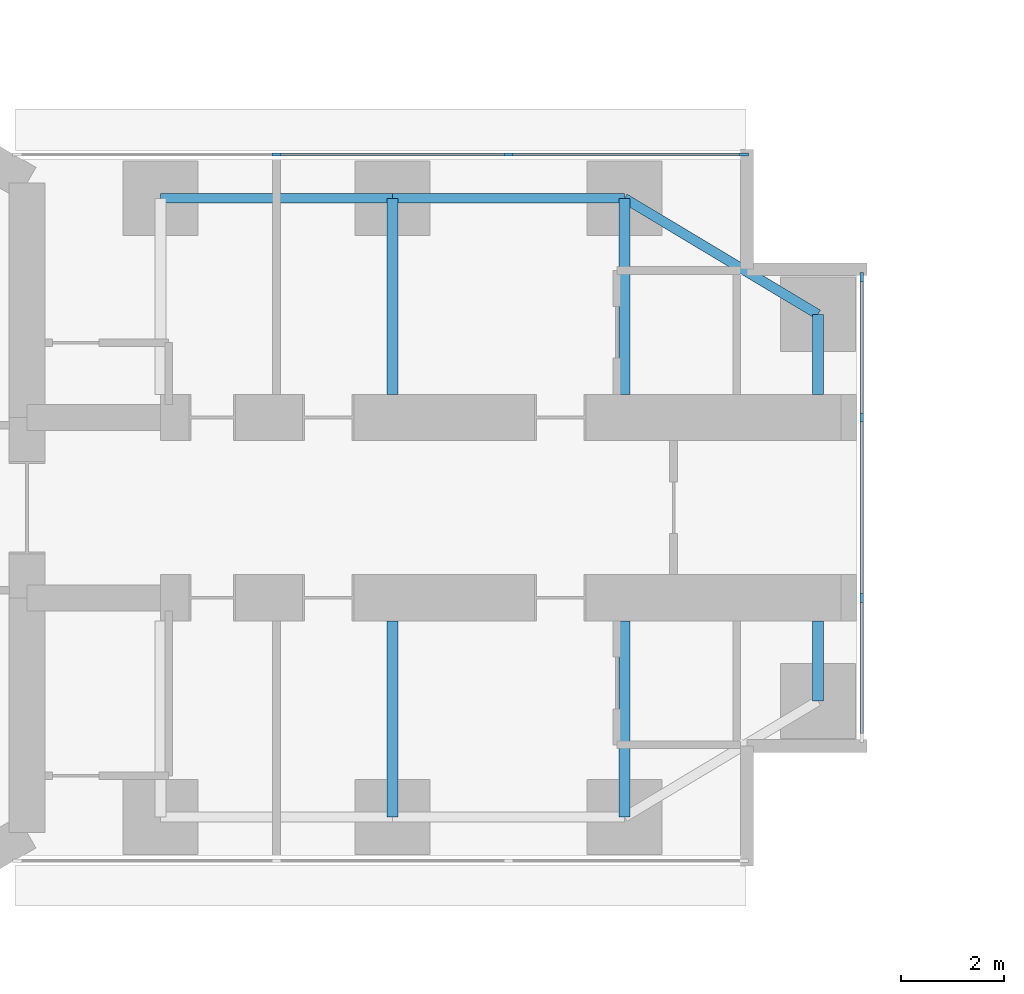
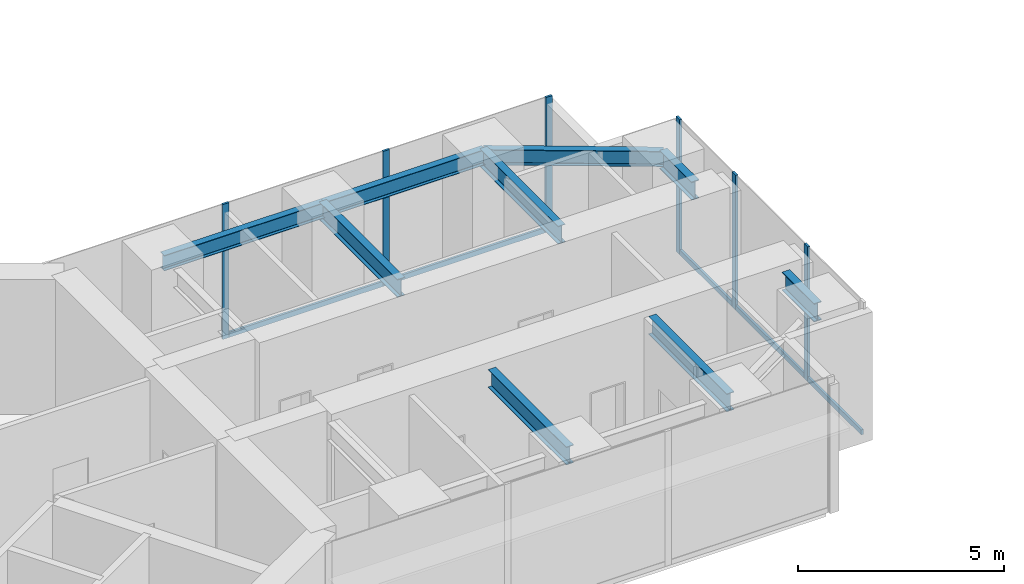
# One storey, part 8 of 24: 11 members, 9 beams, 2 elements without a shape of their own.
"""IFC4 building model written with IfcOpenShell, lengths in metres."""

from ifc_helpers import new_model, si_unit, direction, frame, origin, origin_2d, place, context, subcontext, project, spatial, rectangle, i_section, extrude, material, material_profile, profile_set, type_object, element, aggregate, save


model = new_model("IFC4")

# Units and contexts
model_context = context("Model", 3, precision=1e-05, world=origin(), true_north=direction((0.0, 1.0)))
body_context = subcontext(model_context, "Body", "Model", "MODEL_VIEW")
ifc_project = project(units=[si_unit("LENGTHUNIT", "METRE"), si_unit("AREAUNIT", "SQUARE_METRE"), si_unit("VOLUMEUNIT", "CUBIC_METRE"), si_unit("PLANEANGLEUNIT", "RADIAN"), si_unit("MASSUNIT", "GRAM", prefix="KILO")], contexts=[model_context])

# Site, building, storey
site_placement = place(None, origin())
site = spatial("IfcSite", under=ifc_project, at=site_placement, CompositionType="ELEMENT")
building_placement = place(site_placement, origin())
building = spatial("IfcBuilding", under=site, at=building_placement, Name="Upepo Twin Towers", CompositionType="ELEMENT")
storey_placement = place(building_placement, frame((0.0, 0.0, 56.5)))
storey = spatial("IfcBuildingStorey", under=building, at=storey_placement, Name="L13", CompositionType="ELEMENT", Elevation=56.5)

# Beams
ifc_material_1 = material(Name="Steel S355", Category="steel")
ifc_material_profile_1 = material_profile(ifc_material_1, i_section(OverallWidth=0.1904296875, OverallDepth=0.45703125, WebThickness=0.009033203125, FlangeThickness=0.014404296875, FilletRadius=0.01025390625, at=origin_2d()), Name="UB 457x191x74")
ifc_profile_set_1 = profile_set([ifc_material_profile_1], Name="Steel S355")
beam_type_1 = type_object("IfcBeamType", Name="Beam UB 457x191x74", PredefinedType="BEAM", material=ifc_profile_set_1)
for number, where, z_axis, x_axis, name in (
    (1, (13.5, 6.0, 3.571533203125), (1.0, 0.0, 0.0), (0.0, 1.0, 0.0), "T1 edge beam AL 13.5-18.0"),
    (2, (18.0, 6.0, 3.571533203125), (1.0, 0.0, 0.0), (0.0, 1.0, 0.0), "T1 edge beam AL 18.0-22.5"),
):
    element("IfcBeam", number, at=place(storey_placement, frame(where, z_axis=z_axis, x_axis=x_axis)), inside=storey, type_object=beam_type_1, Name=name, PredefinedType="BEAM", context=body_context, shape_type="SweptSolid", body=[
        extrude(i_section(OverallWidth=0.1904296875, OverallDepth=0.45703125, WebThickness=0.009033203125, FlangeThickness=0.014404296875, FilletRadius=0.01025390625, at=origin_2d()), origin(), (0.0, 0.0, 1.0), 4.5),
    ])
beam_placement = place(storey_placement, frame((22.5, 6.0, 3.571533203125), z_axis=(0.857492925713, -0.514495755428, 0.0), x_axis=(0.514495755428, 0.857492925713, 0.0)))
element("IfcBeam", 3, at=beam_placement, inside=storey, type_object=beam_type_1, Name="T1 nose edge beam AL", PredefinedType="BEAM", context=body_context, shape_type="SweptSolid", body=[
    extrude(i_section(OverallWidth=0.1904296875, OverallDepth=0.45703125, WebThickness=0.009033203125, FlangeThickness=0.014404296875, FilletRadius=0.01025390625, at=origin_2d()), origin(), (0.0, 0.0, 1.0), 4.373291015625),
])
ifc_material_2 = material(Name="Steel S355", Category="steel")
ifc_material_profile_2 = material_profile(ifc_material_2, i_section(OverallWidth=0.2119140625, OverallDepth=0.54443359375, WebThickness=0.0126953125, FlangeThickness=0.021240234375, FilletRadius=0.0126953125, at=origin_2d()), Name="UB 533x210x122")
ifc_profile_set_2 = profile_set([ifc_material_profile_2], Name="Steel S355")
beam_type_2 = type_object("IfcBeamType", Name="Beam UB 533x210x122", PredefinedType="BEAM", material=ifc_profile_set_2)
for number, where, z_axis, x_axis, name in (
    (4, (26.25, 3.75, 3.52783203125), (0.0, -1.0, 0.0), (1.0, 0.0, 0.0), "T1 nose beam AL"),
    (5, (26.25, -3.75, 3.52783203125), (0.0, 1.0, 0.0), (-1.0, 0.0, 0.0), "T1 nose beam AR"),
):
    element("IfcBeam", number, at=place(storey_placement, frame(where, z_axis=z_axis, x_axis=x_axis)), inside=storey, type_object=beam_type_2, Name=name, PredefinedType="BEAM", context=body_context, shape_type="SweptSolid", body=[
        extrude(i_section(OverallWidth=0.2119140625, OverallDepth=0.54443359375, WebThickness=0.0126953125, FlangeThickness=0.021240234375, FilletRadius=0.0126953125, at=origin_2d()), origin(), (0.0, 0.0, 1.0), 1.550048828125),
    ])
ifc_material_3 = material(Name="Steel S355", Category="steel")
ifc_material_profile_3 = material_profile(ifc_material_3, i_section(OverallWidth=0.209228515625, OverallDepth=0.533203125, WebThickness=0.010009765625, FlangeThickness=0.015625, FilletRadius=0.0126953125, at=origin_2d()), Name="UB 533x210x92")
ifc_profile_set_3 = profile_set([ifc_material_profile_3], Name="Steel S355")
beam_type_3 = type_object("IfcBeamType", Name="Beam UB 533x210x92", PredefinedType="BEAM", material=ifc_profile_set_3)
for number, where, z_axis, x_axis, name in (
    (6, (18.0, 6.0, 3.533447265625), (0.0, -1.0, 0.0), (1.0, 0.0, 0.0), "T1 girder AL at 18.0"),
    (7, (22.5, 6.0, 3.533447265625), (0.0, -1.0, 0.0), (1.0, 0.0, 0.0), "T1 girder AL at 22.5"),
    (8, (18.0, -6.0, 3.533447265625), (0.0, 1.0, 0.0), (-1.0, 0.0, 0.0), "T1 girder AR at 18.0"),
    (9, (22.5, -6.0, 3.533447265625), (0.0, 1.0, 0.0), (-1.0, 0.0, 0.0), "T1 girder AR at 22.5"),
):
    element("IfcBeam", number, at=place(storey_placement, frame(where, z_axis=z_axis, x_axis=x_axis)), inside=storey, type_object=beam_type_3, Name=name, PredefinedType="BEAM", context=body_context, shape_type="SweptSolid", body=[
        extrude(i_section(OverallWidth=0.209228515625, OverallDepth=0.533203125, WebThickness=0.010009765625, FlangeThickness=0.015625, FilletRadius=0.0126953125, at=origin_2d()), origin(), (0.0, 0.0, 1.0), 3.800048828125),
    ])

# Curtain wall, members
ifc_material_4 = material(Name="Aluminium and fritted glass", Category="aluminium")
curtain_wall_type = type_object("IfcCurtainWallType", Name="Tower curtain wall TW1, fritted glass", PredefinedType="NOTDEFINED", material=ifc_material_4)
curtain_wall_1_placement = place(storey_placement, origin())
curtain_wall_1 = element("IfcCurtainWall", 10, at=curtain_wall_1_placement, inside=storey, type_object=curtain_wall_type, Name="T1 L13 wing A flank L curtain wall", PredefinedType="NOTDEFINED")
ifc_material_5 = material(Name="Aluminium mullion", Category="aluminium")
ifc_material_profile_4 = material_profile(ifc_material_5, rectangle(XDim=0.06494140625, YDim=0.179931640625, at=origin_2d()), Name="MULLION 65x180")
ifc_profile_set_4 = profile_set([ifc_material_profile_4], Name="Aluminium mullion")
member_type_1 = type_object("IfcMemberType", Name="Mullion 65x180 TW1", PredefinedType="MULLION", material=ifc_profile_set_4)
member_1_placement = place(storey_placement, frame((15.75, 6.85009765625, 0.0), z_axis=(0.0, 0.0, 1.0), x_axis=(0.0, 1.0, 0.0)))
member_1 = element("IfcMember", 11, at=member_1_placement, type_object=member_type_1, Name="T1 L13 wing A flank L curtain wall mullion 2", PredefinedType="MULLION", context=body_context, shape_type="SweptSolid", body=[
    extrude(rectangle(XDim=0.06494140625, YDim=0.179931640625, at=origin_2d()), origin(), (0.0, 0.0, 1.0), 4.0),
])
member_2_placement = place(storey_placement, frame((20.25, 6.85009765625, 0.0), z_axis=(0.0, 0.0, 1.0), x_axis=(0.0, 1.0, 0.0)))
member_2 = element("IfcMember", 12, at=member_2_placement, type_object=member_type_1, Name="T1 L13 wing A flank L curtain wall mullion 3", PredefinedType="MULLION", context=body_context, shape_type="SweptSolid", body=[
    extrude(rectangle(XDim=0.06494140625, YDim=0.179931640625, at=origin_2d()), origin(), (0.0, 0.0, 1.0), 4.0),
])
member_3_placement = place(storey_placement, frame((24.8173828125, 6.85009765625, 0.0), z_axis=(0.0, 0.0, 1.0), x_axis=(0.0, 1.0, 0.0)))
member_3 = element("IfcMember", 13, at=member_3_placement, type_object=member_type_1, Name="T1 L13 wing A flank L curtain wall mullion 4", PredefinedType="MULLION", context=body_context, shape_type="SweptSolid", body=[
    extrude(rectangle(XDim=0.06494140625, YDim=0.179931640625, at=origin_2d()), origin(), (0.0, 0.0, 1.0), 4.0),
])

curtain_wall_2_placement = place(storey_placement, origin())
curtain_wall_2 = element("IfcCurtainWall", 14, at=curtain_wall_2_placement, inside=storey, type_object=curtain_wall_type, Name="T1 L13 wing A nose curtain wall", PredefinedType="NOTDEFINED")
member_4_placement = place(storey_placement, frame((27.10009765625, -1.75, 0.0), z_axis=(0.0, 0.0, 1.0), x_axis=(-1.0, 0.0, 0.0)))
member_4 = element("IfcMember", 15, at=member_4_placement, type_object=member_type_1, Name="T1 L13 wing A nose curtain wall mullion 2", PredefinedType="MULLION", context=body_context, shape_type="SweptSolid", body=[
    extrude(rectangle(XDim=0.06494140625, YDim=0.179931640625, at=origin_2d()), origin(), (0.0, 0.0, 1.0), 4.0),
])
member_5_placement = place(storey_placement, frame((27.10009765625, 1.75, 0.0), z_axis=(0.0, 0.0, 1.0), x_axis=(-1.0, 0.0, 0.0)))
member_5 = element("IfcMember", 16, at=member_5_placement, type_object=member_type_1, Name="T1 L13 wing A nose curtain wall mullion 3", PredefinedType="MULLION", context=body_context, shape_type="SweptSolid", body=[
    extrude(rectangle(XDim=0.06494140625, YDim=0.179931640625, at=origin_2d()), origin(), (0.0, 0.0, 1.0), 4.0),
])
member_6_placement = place(storey_placement, frame((27.10009765625, 4.467529296875, 0.0), z_axis=(0.0, 0.0, 1.0), x_axis=(-1.0, 0.0, 0.0)))
member_6 = element("IfcMember", 17, at=member_6_placement, type_object=member_type_1, Name="T1 L13 wing A nose curtain wall mullion 4", PredefinedType="MULLION", context=body_context, shape_type="SweptSolid", body=[
    extrude(rectangle(XDim=0.06494140625, YDim=0.179931640625, at=origin_2d()), origin(), (0.0, 0.0, 1.0), 4.0),
])

# Member
ifc_material_6 = material(Name="Aluminium transom", Category="aluminium")
ifc_material_profile_5 = material_profile(ifc_material_6, rectangle(XDim=0.06494140625, YDim=0.14990234375, at=origin_2d()), Name="TRANSOM 65x150")
ifc_profile_set_5 = profile_set([ifc_material_profile_5], Name="Aluminium transom")
member_type_2 = type_object("IfcMemberType", Name="Transom 65x150 TW1", PredefinedType="USERDEFINED", material=ifc_profile_set_5)
member_7_placement = place(storey_placement, frame((15.782470703125, 6.85009765625, 0.074951171875), z_axis=(1.0, 0.0, 0.0), x_axis=(0.0, 1.0, 0.0)))
member_7 = element("IfcMember", 18, at=member_7_placement, type_object=member_type_2, Name="T1 L13 wing A flank L curtain wall transom 2", ObjectType="TRANSOM", PredefinedType="USERDEFINED", context=body_context, shape_type="SweptSolid", body=[
    extrude(rectangle(XDim=0.06494140625, YDim=0.14990234375, at=origin_2d()), origin(), (0.0, 0.0, 1.0), 4.43505859375),
])

member_8_placement = place(storey_placement, frame((20.282470703125, 6.85009765625, 0.074951171875), z_axis=(1.0, 0.0, 0.0), x_axis=(0.0, 1.0, 0.0)))
member_8 = element("IfcMember", 19, at=member_8_placement, type_object=member_type_2, Name="T1 L13 wing A flank L curtain wall transom 3", ObjectType="TRANSOM", PredefinedType="USERDEFINED", context=body_context, shape_type="SweptSolid", body=[
    extrude(rectangle(XDim=0.06494140625, YDim=0.14990234375, at=origin_2d()), origin(), (0.0, 0.0, 1.0), 4.50244140625),
])

aggregate(curtain_wall_1, [member_1, member_2, member_3, member_7, member_8])

member_9_placement = place(storey_placement, frame((27.10009765625, -4.43505859375, 0.074951171875), z_axis=(0.0, 1.0, 0.0), x_axis=(-1.0, 0.0, 0.0)))
member_9 = element("IfcMember", 20, at=member_9_placement, type_object=member_type_2, Name="T1 L13 wing A nose curtain wall transom 1", ObjectType="TRANSOM", PredefinedType="USERDEFINED", context=body_context, shape_type="SweptSolid", body=[
    extrude(rectangle(XDim=0.06494140625, YDim=0.14990234375, at=origin_2d()), origin(), (0.0, 0.0, 1.0), 2.652587890625),
])

member_10_placement = place(storey_placement, frame((27.10009765625, -1.717529296875, 0.074951171875), z_axis=(0.0, 1.0, 0.0), x_axis=(-1.0, 0.0, 0.0)))
member_10 = element("IfcMember", 21, at=member_10_placement, type_object=member_type_2, Name="T1 L13 wing A nose curtain wall transom 2", ObjectType="TRANSOM", PredefinedType="USERDEFINED", context=body_context, shape_type="SweptSolid", body=[
    extrude(rectangle(XDim=0.06494140625, YDim=0.14990234375, at=origin_2d()), origin(), (0.0, 0.0, 1.0), 3.43505859375),
])

member_11_placement = place(storey_placement, frame((27.10009765625, 1.782470703125, 0.074951171875), z_axis=(0.0, 1.0, 0.0), x_axis=(-1.0, 0.0, 0.0)))
member_11 = element("IfcMember", 22, at=member_11_placement, type_object=member_type_2, Name="T1 L13 wing A nose curtain wall transom 3", ObjectType="TRANSOM", PredefinedType="USERDEFINED", context=body_context, shape_type="SweptSolid", body=[
    extrude(rectangle(XDim=0.06494140625, YDim=0.14990234375, at=origin_2d()), origin(), (0.0, 0.0, 1.0), 2.652587890625),
])

aggregate(curtain_wall_2, [member_4, member_5, member_6, member_9, member_10, member_11])

save(model, "model.ifc")
